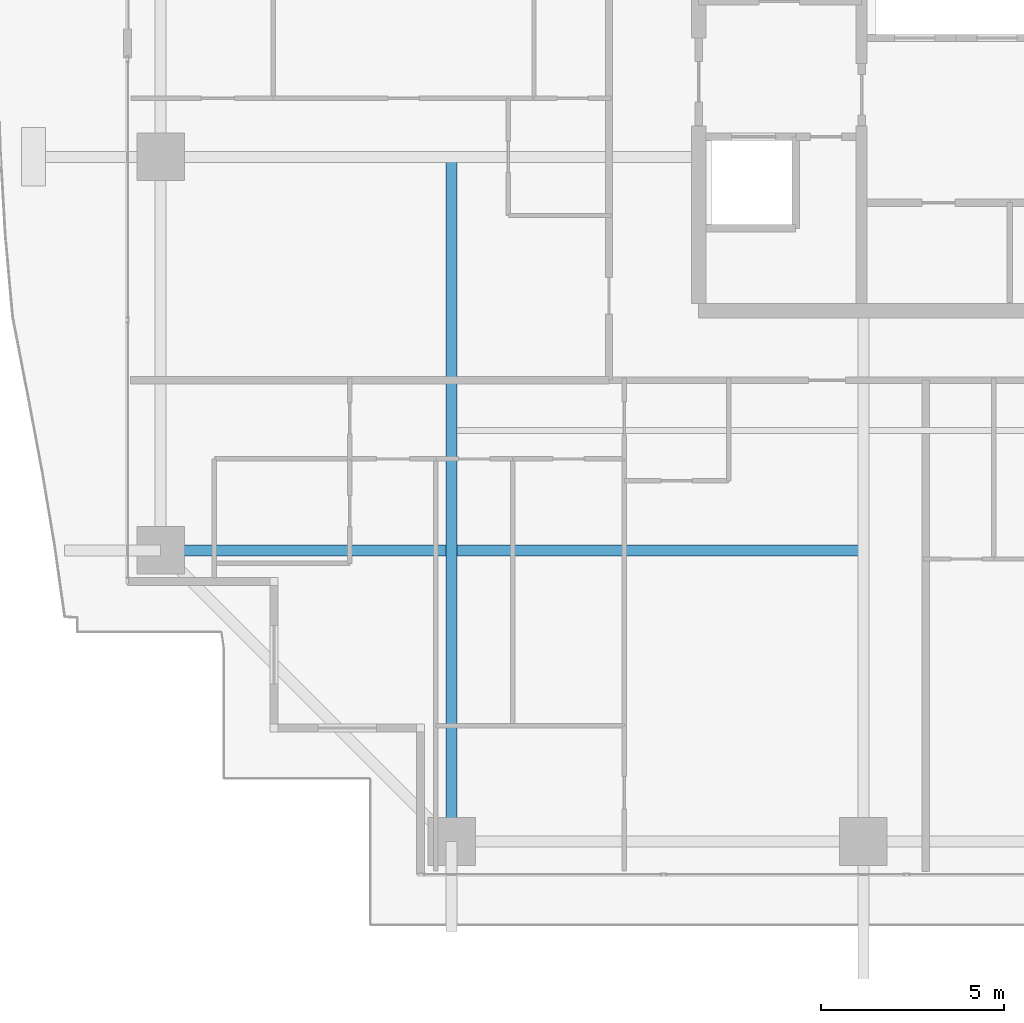
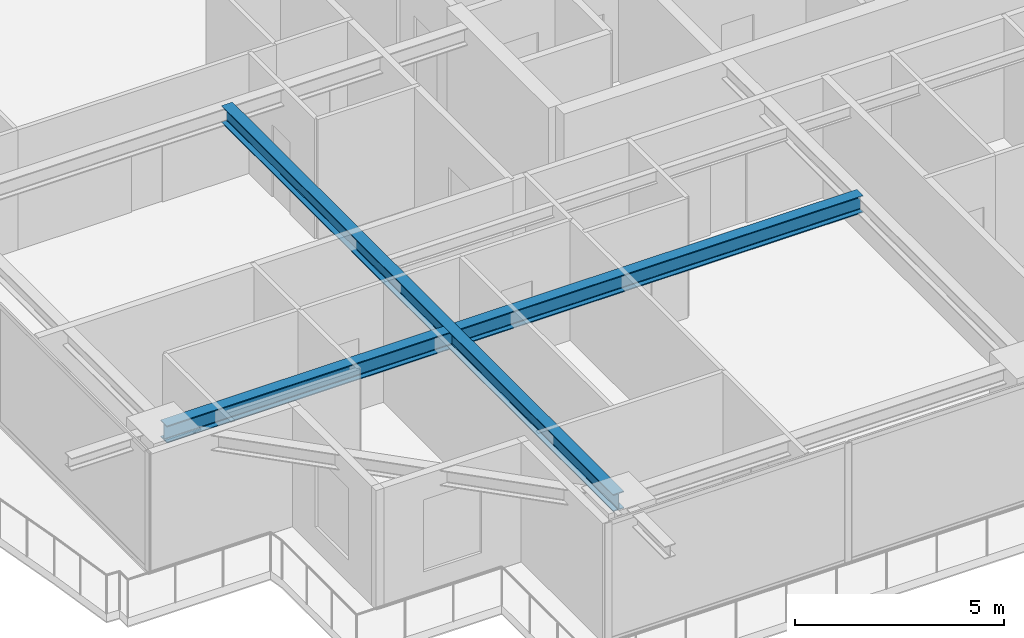
# One storey, part 4 of 39: 2 beams.
"""IFC4 building model written with IfcOpenShell, lengths in metres."""

import ifcopenshell
import ifcopenshell.guid

model = None  # the IFC model being written
_history = None  # IfcOwnerHistory: only IFC2X3 demands one
_inside = {}  # id of a spatial element -> (the spatial element, [elements in it])
_under = {}  # id of a project, library or spatial element -> (it, [spatial elements below it])
_declared = {}  # id of a project -> (the project, [libraries it declares])
_typed = {}  # id of a type object -> (the type object, [elements of that type])
_made_of = {}  # id of a material, layer set ... -> (it, [elements and type objects made of it])


def new_model(schema):
    """Start an empty IFC model of exactly this schema.

    Asked for "IFC4X3", IfcOpenShell would pick the latest addendum, in which some entities
    have other attributes; the version numbers below select the first issue.
    IFC2X3 requires an IfcOwnerHistory on every rooted entity: one is made here for all.
    """
    global model, _history
    if schema == "IFC4X3":
        model = ifcopenshell.file(schema_version=(4, 3, 0, 0))
    else:
        model = ifcopenshell.file(schema=schema)
    _inside.clear()
    _under.clear()
    _declared.clear()
    _typed.clear()
    _made_of.clear()
    _history = None
    if model.schema == "IFC2X3":
        org = make("IfcOrganization", Name="unknown")
        user = make(
            "IfcPersonAndOrganization",
            ThePerson=make("IfcPerson", FamilyName="unknown"),
            TheOrganization=org,
        )
        app = make(
            "IfcApplication",
            ApplicationDeveloper=org,
            Version="unknown",
            ApplicationFullName="unknown",
            ApplicationIdentifier="unknown",
        )
        _history = make(
            "IfcOwnerHistory",
            OwningUser=user,
            OwningApplication=app,
            ChangeAction="ADDED",
            CreationDate=0,
        )
    return model


def make(cls, **values):
    """One entity of the class cls with the attributes given. An attribute that is None is left unset."""
    return model.create_entity(
        cls, **{name: value for name, value in values.items() if value is not None}
    )


def rooted(cls, **values):
    """An entity with a GlobalId (a new one), such as an element, a storey or a relation."""
    return make(cls, GlobalId=ifcopenshell.guid.new(), OwnerHistory=_history, **values)


def si_unit(unit_type, name, prefix=None):
    """IfcSIUnit, for example si_unit("LENGTHUNIT", "METRE", prefix="MILLI")."""
    return make("IfcSIUnit", UnitType=unit_type, Prefix=prefix, Name=name)


def assignment(units):
    """IfcUnitAssignment: the units of a project."""
    return None if units is None else make("IfcUnitAssignment", Units=units)


def point(xyz):
    """IfcCartesianPoint."""
    return None if xyz is None else make("IfcCartesianPoint", Coordinates=xyz)


def direction(xyz):
    """IfcDirection."""
    return None if xyz is None else make("IfcDirection", DirectionRatios=xyz)


def frame(location, z_axis=None, x_axis=None):
    """IfcAxis2Placement3D, a coordinate frame: its origin and axes. An axis left out is left unset."""
    return make(
        "IfcAxis2Placement3D",
        Location=point(location),
        Axis=direction(z_axis),
        RefDirection=direction(x_axis),
    )


def frame_2d(location, x_axis=None):
    """IfcAxis2Placement2D, a coordinate frame in the plane: its origin and x axis."""
    return make(
        "IfcAxis2Placement2D", Location=point(location), RefDirection=direction(x_axis)
    )


def origin():
    """The frame at (0, 0, 0) with its axes left unset."""
    return frame((0.0, 0.0, 0.0))


def origin_2d():
    """The frame at (0, 0) in the plane with its x axis left unset."""
    return frame_2d((0.0, 0.0))


def place(relative_to, where):
    """IfcLocalPlacement: puts the frame where relative to a parent placement (None: the world)."""
    return make(
        "IfcLocalPlacement", PlacementRelTo=relative_to, RelativePlacement=where
    )


def context(
    kind, dimensions, precision=None, world=None, true_north=None, identifier=None
):
    """IfcGeometricRepresentationContext, for example the 3D "Model" context."""
    return make(
        "IfcGeometricRepresentationContext",
        ContextIdentifier=identifier,
        ContextType=kind,
        CoordinateSpaceDimension=dimensions,
        Precision=precision,
        WorldCoordinateSystem=world,
        TrueNorth=true_north,
    )


def subcontext(parent, identifier, kind, view, scale=None):
    """IfcGeometricRepresentationSubContext, for example "Body" below "Model"."""
    return make(
        "IfcGeometricRepresentationSubContext",
        ContextIdentifier=identifier,
        ContextType=kind,
        ParentContext=parent,
        TargetScale=scale,
        TargetView=view,
    )


def project(units=None, contexts=None):
    """IfcProject with its units and contexts."""
    return rooted(
        "IfcProject",
        Name="project",
        RepresentationContexts=contexts,
        UnitsInContext=assignment(units),
    )


def spatial(cls, under=None, at=None, **own):
    """A site, building, storey or space (cls), placed at a placement, below another one or the project."""
    s = rooted(cls, ObjectPlacement=at, **own)
    if under is not None:
        _under.setdefault(under.id(), (under, []))[1].append(s)
    return s


def profile(cls, at=None, kind="AREA", **sizes):
    """A parametric profile (cls). Its sizes go by their IFC names, for example OverallWidth=200.0."""
    return make(cls, ProfileType=kind, Position=at, **sizes)


def i_section(**sizes):
    """IfcIShapeProfileDef."""
    return profile("IfcIShapeProfileDef", **sizes)


def extrude(swept, where, along, depth):
    """IfcExtrudedAreaSolid: the profile swept, set in the frame where, extruded along a direction by depth."""
    return make(
        "IfcExtrudedAreaSolid",
        SweptArea=swept,
        Position=where,
        ExtrudedDirection=direction(along),
        Depth=depth,
    )


def shape(context_of_items, identifier, shape_type, items):
    """IfcShapeRepresentation: the items that make up one representation, for example the "Body"."""
    return make(
        "IfcShapeRepresentation",
        ContextOfItems=context_of_items,
        RepresentationIdentifier=identifier,
        RepresentationType=shape_type,
        Items=items,
    )


def source(mapping_origin, context_of_items, identifier, shape_type, items):
    """IfcRepresentationMap: a shape defined once, which mapped items show again and again."""
    return make(
        "IfcRepresentationMap",
        MappingOrigin=mapping_origin,
        MappedRepresentation=shape(context_of_items, identifier, shape_type, items),
    )


def transform(
    local_origin,
    x_axis=None,
    y_axis=None,
    z_axis=None,
    scale=None,
    scale2=None,
    scale3=None,
    uniform=True,
):
    """IfcCartesianTransformationOperator3D, or its non-uniform kind. x_axis, y_axis, z_axis: its Axis1, 2, 3."""
    if uniform:
        return make(
            "IfcCartesianTransformationOperator3D",
            Axis1=direction(x_axis),
            Axis2=direction(y_axis),
            LocalOrigin=point(local_origin),
            Scale=scale,
            Axis3=direction(z_axis),
        )
    return make(
        "IfcCartesianTransformationOperator3DnonUniform",
        Axis1=direction(x_axis),
        Axis2=direction(y_axis),
        LocalOrigin=point(local_origin),
        Scale=scale,
        Axis3=direction(z_axis),
        Scale2=scale2,
        Scale3=scale3,
    )


def mapped(mapping_source, mapping_target):
    """IfcMappedItem: shows the shape of a source again, moved by a transform."""
    return make(
        "IfcMappedItem", MappingSource=mapping_source, MappingTarget=mapping_target
    )


def material(Name=None, Category=None):
    """IfcMaterial."""
    return make("IfcMaterial", Name=Name, Category=Category)


def material_profile(
    of_material, cross_section, Name=None, Category=None, Priority=None
):
    """IfcMaterialProfile: a cross section and its material."""
    return make(
        "IfcMaterialProfile",
        Name=Name,
        Material=of_material,
        Profile=cross_section,
        Priority=Priority,
        Category=Category,
    )


def profile_set(profiles, Name=None, composite=None):
    """IfcMaterialProfileSet."""
    return make(
        "IfcMaterialProfileSet",
        Name=Name,
        MaterialProfiles=profiles,
        CompositeProfile=composite,
    )


def made_of(thing, what):
    """Note that an element or type object is made of a material, layer set ...; save() writes the relation."""
    if what is not None:
        _made_of.setdefault(what.id(), (what, []))[1].append(thing)
    return thing


def type_object(cls, material=None, **own):
    """A type object (cls), such as IfcWallType, which elements share."""
    return made_of(rooted(cls, **own), material)


def element(
    cls,
    number,
    at=None,
    inside=None,
    cuts=None,
    type_object=None,
    material=None,
    context=None,
    identifier="Body",
    shape_type=None,
    held_by="IfcProductDefinitionShape",
    body=None,
    shapes=None,
    **own,
):
    """One element of the class cls, such as IfcWall. Its Tag is "e" and its number.

    at: its placement. inside: the storey or other place that contains it. cuts: it is an
    opening in that element (IfcRelVoidsElement). A single representation is given by context,
    identifier, shape_type and body (its items); several are given by shapes. held_by: the class
    of the entity that holds the representations. save() writes the other relations.
    """
    e = rooted(cls, Tag="e%d" % number, ObjectPlacement=at, **own)
    if body is not None:
        shapes = [shape(context, identifier, shape_type, body)]
    if shapes is not None:
        e.Representation = make(held_by, Representations=shapes)
    if inside is not None:
        _inside.setdefault(inside.id(), (inside, []))[1].append(e)
    if cuts is not None:
        rooted(
            "IfcRelVoidsElement", RelatingBuildingElement=cuts, RelatedOpeningElement=e
        )
    if type_object is not None:
        _typed.setdefault(type_object.id(), (type_object, []))[1].append(e)
    return made_of(e, material)


def aggregate(whole, parts):
    """IfcRelAggregates: a whole, such as a stair, and the parts it consists of."""
    return rooted("IfcRelAggregates", RelatingObject=whole, RelatedObjects=parts)


def save(model, path):
    """Write the relations noted so far, then the file.

    IfcRelAggregates (storeys below a building ...), IfcRelContainedInSpatialStructure (elements
    in a storey), IfcRelDefinesByType, IfcRelAssociatesMaterial and IfcRelDeclares: one each for
    every whole, place, type object, material and project.
    """
    for whole, parts in _under.values():
        aggregate(whole, parts)
    for where, things in _inside.values():
        rooted(
            "IfcRelContainedInSpatialStructure",
            RelatedElements=things,
            RelatingStructure=where,
        )
    for kind, things in _typed.values():
        rooted("IfcRelDefinesByType", RelatedObjects=things, RelatingType=kind)
    for what, things in _made_of.values():
        rooted("IfcRelAssociatesMaterial", RelatedObjects=things, RelatingMaterial=what)
    for by, libraries in _declared.values():
        rooted("IfcRelDeclares", RelatingContext=by, RelatedDefinitions=libraries)
    model.write(path)


model = new_model("IFC4")

# Units and contexts
model_context = context("Model", 3, precision=1e-05, world=origin(), true_north=direction((0.0, 1.0)))
body_context = subcontext(model_context, "Body", "Model", "MODEL_VIEW")
ifc_project = project(units=[si_unit("LENGTHUNIT", "METRE"), si_unit("AREAUNIT", "SQUARE_METRE"), si_unit("VOLUMEUNIT", "CUBIC_METRE"), si_unit("PLANEANGLEUNIT", "RADIAN"), si_unit("MASSUNIT", "GRAM", prefix="KILO")], contexts=[model_context])

# Site, building, storey
site_placement = place(None, origin())
site = spatial("IfcSite", under=ifc_project, at=site_placement, CompositionType="ELEMENT")
building_placement = place(site_placement, origin())
building = spatial("IfcBuilding", under=site, at=building_placement, Name="Serunith Strait Residences", CompositionType="ELEMENT")
storey_placement = place(building_placement, frame((0.0, 0.0, 168.89990234375)))
storey = spatial("IfcBuildingStorey", under=building, at=storey_placement, Name="L42", CompositionType="ELEMENT", Elevation=168.89990234375)

# Beams
ifc_material = material(Name="Steel S355J2", Category="steel")
ifc_material_profile = material_profile(ifc_material, i_section(OverallWidth=0.300048828125, OverallDepth=0.5, WebThickness=0.014404296875, FlangeThickness=0.028076171875, FilletRadius=0.027099609375, at=origin_2d()), Name="HEB 500")
ifc_profile_set = profile_set([ifc_material_profile], Name="Steel S355J2")
beam_type = type_object("IfcBeamType", Name="BM-HEB500", PredefinedType="BEAM", material=ifc_profile_set)
shared_shape_1 = source(origin(), body_context, "Body", "SweptSolid", [
    extrude(i_section(OverallWidth=0.300048828125, OverallDepth=0.5, WebThickness=0.014404296875, FlangeThickness=0.028076171875, FilletRadius=0.027099609375, at=origin_2d()), origin(), (0.0, 0.0, 1.0), 18.699951171875),
])
beam_1_placement = place(storey_placement, frame((16.64990234375, 21.0, 3.237060546875), z_axis=(0.0, -1.0, 0.0), x_axis=(1.0, 0.0, 0.0)))
element("IfcBeam", 1, at=beam_1_placement, inside=storey, type_object=beam_type, Name="L42 Orthogonal Corner Girder TC-S1", PredefinedType="BEAM", context=body_context, shape_type="MappedRepresentation", body=[
    mapped(shared_shape_1, transform((0.0, 0.0, 0.0), scale=1.0)),
])
shared_shape_2 = source(origin(), body_context, "Body", "SweptSolid", [
    extrude(i_section(OverallWidth=0.300048828125, OverallDepth=0.5, WebThickness=0.014404296875, FlangeThickness=0.028076171875, FilletRadius=0.027099609375, at=origin_2d()), origin(), (0.0, 0.0, 1.0), 19.199951171875),
])
beam_2_placement = place(storey_placement, frame((27.89990234375, 10.25, 3.237060546875), z_axis=(-1.0, 0.0, 0.0), x_axis=(0.0, -1.0, 0.0)))
element("IfcBeam", 2, at=beam_2_placement, inside=storey, type_object=beam_type, Name="L42 Orthogonal Corner Girder TC-W1", PredefinedType="BEAM", context=body_context, shape_type="MappedRepresentation", body=[
    mapped(shared_shape_2, transform((0.0, 0.0, 0.0), scale=1.0)),
])

save(model, "model.ifc")
